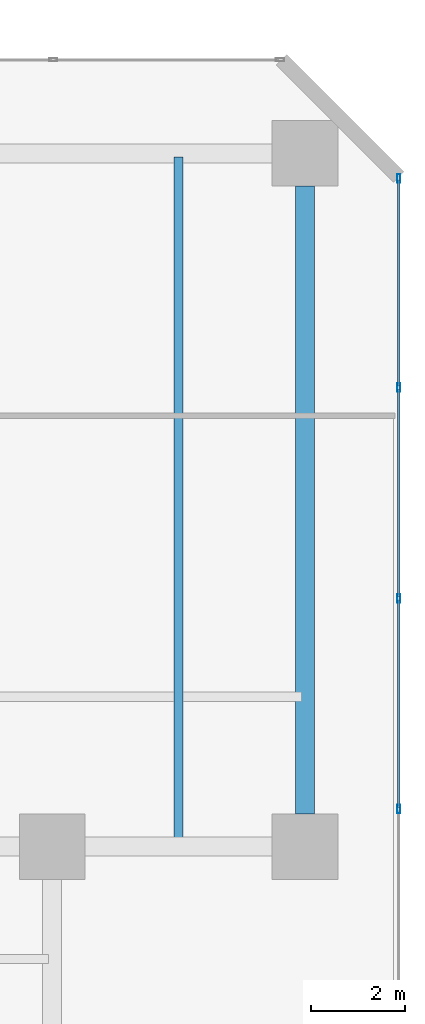
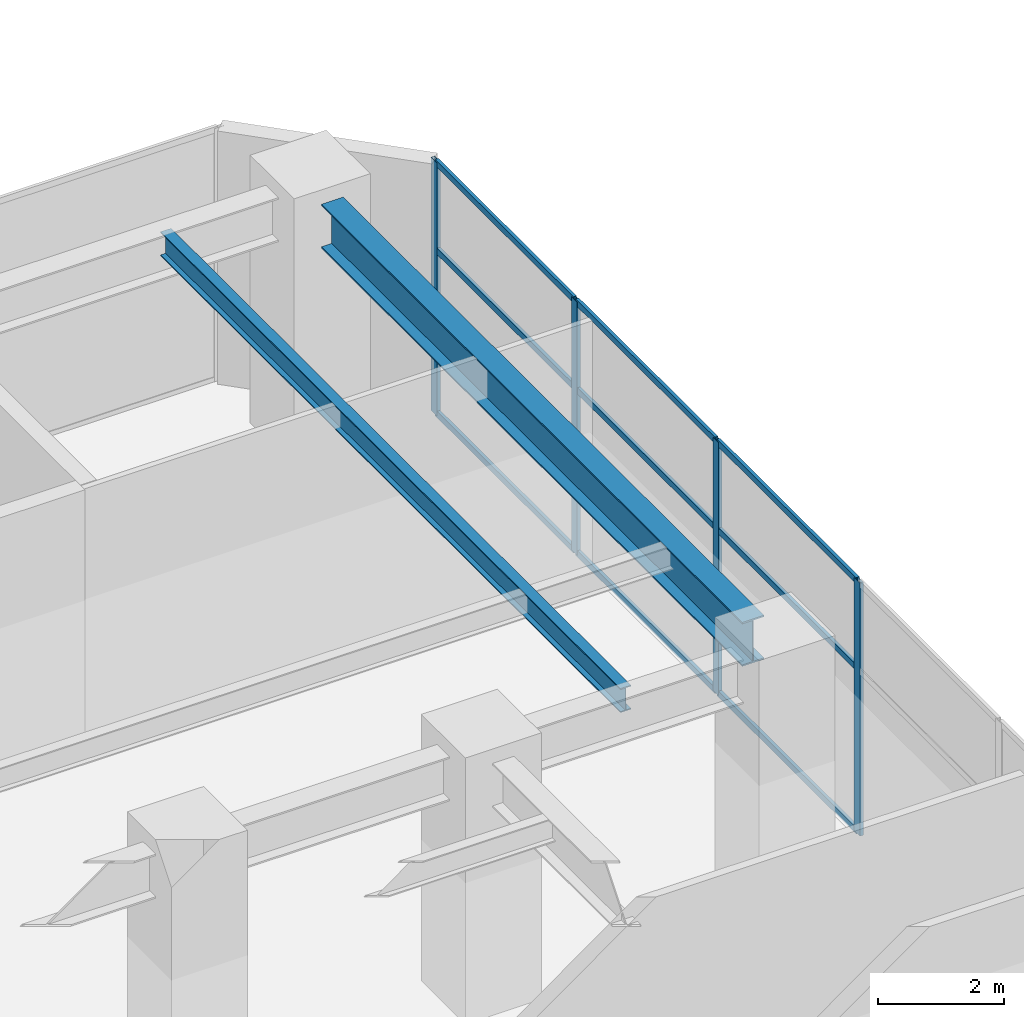
# One storey, part 11 of 29: 13 members, 2 beams, 1 element without a shape of its own.
"""IFC4 building model written with IfcOpenShell, lengths in metres."""

from ifc_helpers import new_model, si_unit, direction, frame, origin, origin_2d, place, context, subcontext, project, spatial, hollow_rectangle, i_section, extrude, material, layer, layer_set, material_profile, profile_set, type_object, element, aggregate, save


model = new_model("IFC4")

# Units and contexts
model_context = context("Model", 3, precision=1e-05, world=origin(), true_north=direction((0.0, 1.0)))
body_context = subcontext(model_context, "Body", "Model", "MODEL_VIEW")
ifc_project = project(units=[si_unit("LENGTHUNIT", "METRE"), si_unit("AREAUNIT", "SQUARE_METRE"), si_unit("VOLUMEUNIT", "CUBIC_METRE"), si_unit("PLANEANGLEUNIT", "RADIAN"), si_unit("MASSUNIT", "GRAM", prefix="KILO")], contexts=[model_context])

# Site, building, storey
site_placement = place(None, origin())
site = spatial("IfcSite", under=ifc_project, at=site_placement, CompositionType="ELEMENT")
building_placement = place(site_placement, origin())
building = spatial("IfcBuilding", under=site, at=building_placement, Name="Mawjaban Terraces University", CompositionType="ELEMENT")
storey_placement = place(building_placement, frame((0.0, 0.0, 15.60009765625)))
storey = spatial("IfcBuildingStorey", under=building, at=storey_placement, Name="L03", CompositionType="ELEMENT", Elevation=15.60009765625)

# Beams
ifc_material_1 = material(Name="Steel ASTM A572 Grade 50", Category="steel")
ifc_material_profile_1 = material_profile(ifc_material_1, i_section(OverallWidth=0.39990234375, OverallDepth=0.85498046875, WebThickness=0.018310546875, FlangeThickness=0.029296875, at=origin_2d()), Name="W840X299")
ifc_profile_set_1 = profile_set([ifc_material_profile_1], Name="Steel ASTM A572 Grade 50")
beam_type_1 = type_object("IfcBeamType", Name="Beam_B_W840X299", PredefinedType="BEAM", material=ifc_profile_set_1)
beam_1_placement = place(storey_placement, frame((74.0, 15.89990234375, 4.492919921875), z_axis=(0.0, 1.0, 0.0), x_axis=(-1.0, 0.0, 0.0)))
element("IfcBeam", 1, at=beam_1_placement, inside=storey, type_object=beam_type_1, Name="L03 Beam BM-L03-NS-22", PredefinedType="BEAM", context=body_context, shape_type="SweptSolid", body=[
    extrude(i_section(OverallWidth=0.39990234375, OverallDepth=0.85498046875, WebThickness=0.018310546875, FlangeThickness=0.029296875, at=origin_2d()), origin(), (0.0, 0.0, 1.0), 13.400146484375),
])
ifc_material_profile_2 = material_profile(ifc_material_1, i_section(OverallWidth=0.194091796875, OverallDepth=0.468994140625, WebThickness=0.011474609375, FlangeThickness=0.0205078125, at=origin_2d()), Name="W460X106")
ifc_profile_set_2 = profile_set([ifc_material_profile_2], Name="Steel ASTM A572 Grade 50")
beam_type_2 = type_object("IfcBeamType", Name="Beam_J_W460X106", PredefinedType="JOIST", material=ifc_profile_set_2)
beam_2_placement = place(storey_placement, frame((71.300048828125, 15.280029296875, 4.684814453125), z_axis=(0.0, 1.0, 0.0), x_axis=(-1.0, 0.0, 0.0)))
element("IfcBeam", 2, at=beam_2_placement, inside=storey, type_object=beam_type_2, Name="L03 Composite Joist JST-L03-NS-34", PredefinedType="JOIST", context=body_context, shape_type="SweptSolid", body=[
    extrude(i_section(OverallWidth=0.194091796875, OverallDepth=0.468994140625, WebThickness=0.011474609375, FlangeThickness=0.0205078125, at=origin_2d()), origin(), (0.0, 0.0, 1.0), 14.639892578125),
])

# Curtain wall, members
ifc_material_2 = material(Name="Anodised aluminium 6063-T6 and solar-control low-E glass", Category="aluminium")
ifc_layer = layer(ifc_material_2, 0.175048828125)
ifc_layer_set = layer_set([ifc_layer], Name="Anodised aluminium 6063-T6 and solar-control low-E glass")
curtain_wall_type = type_object("IfcCurtainWallType", Name="CWSystem_02_PodiumLibrary", PredefinedType="NOTDEFINED", material=ifc_layer_set)
curtain_wall_placement = place(storey_placement, origin())
curtain_wall = element("IfcCurtainWall", 3, at=curtain_wall_placement, inside=storey, type_object=curtain_wall_type, Name="L03 Curtain Wall CW-02 Run 3.1", PredefinedType="NOTDEFINED")
ifc_material_3 = material(Name="Anodised aluminium 6063-T6", Category="aluminium")
ifc_material_profile_3 = material_profile(ifc_material_3, hollow_rectangle(XDim=0.06494140625, YDim=0.179931640625, WallThickness=0.00390625, at=origin_2d()), Name="ALU180X65X4")
ifc_profile_set_3 = profile_set([ifc_material_profile_3], Name="Anodised aluminium 6063-T6")
member_type_1 = type_object("IfcMemberType", Name="Mullion_CW-02", PredefinedType="MULLION", material=ifc_profile_set_3)
member_1_placement = place(storey_placement, frame((76.0, 16.0, 0.0), z_axis=(0.0, 0.0, 1.0), x_axis=(-1.0, 0.0, 0.0)))
member_1 = element("IfcMember", 4, at=member_1_placement, type_object=member_type_1, Name="CW-02 mullion 4", PredefinedType="MULLION", context=body_context, shape_type="SweptSolid", body=[
    extrude(hollow_rectangle(XDim=0.06494140625, YDim=0.179931640625, WallThickness=0.00390625, at=origin_2d()), origin(), (0.0, 0.0, 1.0), 4.919921875),
])
member_2_placement = place(storey_placement, frame((76.0, 20.5, 0.0), z_axis=(0.0, 0.0, 1.0), x_axis=(-1.0, 0.0, 0.0)))
member_2 = element("IfcMember", 5, at=member_2_placement, type_object=member_type_1, Name="CW-02 mullion 5", PredefinedType="MULLION", context=body_context, shape_type="SweptSolid", body=[
    extrude(hollow_rectangle(XDim=0.06494140625, YDim=0.179931640625, WallThickness=0.00390625, at=origin_2d()), origin(), (0.0, 0.0, 1.0), 4.919921875),
])
member_3_placement = place(storey_placement, frame((76.0, 25.0, 0.0), z_axis=(0.0, 0.0, 1.0), x_axis=(-1.0, 0.0, 0.0)))
member_3 = element("IfcMember", 6, at=member_3_placement, type_object=member_type_1, Name="CW-02 mullion 6", PredefinedType="MULLION", context=body_context, shape_type="SweptSolid", body=[
    extrude(hollow_rectangle(XDim=0.06494140625, YDim=0.179931640625, WallThickness=0.00390625, at=origin_2d()), origin(), (0.0, 0.0, 1.0), 4.919921875),
])
member_4_placement = place(storey_placement, frame((76.0, 29.467529296875, 0.0), z_axis=(0.0, 0.0, 1.0), x_axis=(-1.0, 0.0, 0.0)))
member_4 = element("IfcMember", 7, at=member_4_placement, type_object=member_type_1, Name="CW-02 mullion 7", PredefinedType="MULLION", context=body_context, shape_type="SweptSolid", body=[
    extrude(hollow_rectangle(XDim=0.06494140625, YDim=0.179931640625, WallThickness=0.00390625, at=origin_2d()), origin(), (0.0, 0.0, 1.0), 4.919921875),
])
ifc_material_profile_4 = material_profile(ifc_material_3, hollow_rectangle(XDim=0.06005859375, YDim=0.1201171875, WallThickness=0.00341796875, at=origin_2d()), Name="ALU120X60X3.5")
ifc_profile_set_4 = profile_set([ifc_material_profile_4], Name="Anodised aluminium 6063-T6")
member_type_2 = type_object("IfcMemberType", Name="Transom_CW-02", PredefinedType="NOTDEFINED", material=ifc_profile_set_4)
member_5_placement = place(storey_placement, frame((76.0, 16.032470703125, 0.02978515625), z_axis=(0.0, 1.0, 0.0), x_axis=(-1.0, 0.0, 0.0)))
member_5 = element("IfcMember", 8, at=member_5_placement, type_object=member_type_2, Name="CW-02 transom 4.1", ObjectType="TRANSOM", PredefinedType="USERDEFINED", context=body_context, shape_type="SweptSolid", body=[
    extrude(hollow_rectangle(XDim=0.06005859375, YDim=0.1201171875, WallThickness=0.00341796875, at=origin_2d()), origin(), (0.0, 0.0, 1.0), 4.43505859375),
])
member_6_placement = place(storey_placement, frame((76.0, 16.032470703125, 3.197998046875), z_axis=(0.0, 1.0, 0.0), x_axis=(-1.0, 0.0, 0.0)))
member_6 = element("IfcMember", 9, at=member_6_placement, type_object=member_type_2, Name="CW-02 transom 4.2", ObjectType="TRANSOM", PredefinedType="USERDEFINED", context=body_context, shape_type="SweptSolid", body=[
    extrude(hollow_rectangle(XDim=0.06005859375, YDim=0.1201171875, WallThickness=0.00341796875, at=origin_2d()), origin(), (0.0, 0.0, 1.0), 4.43505859375),
])
member_7_placement = place(storey_placement, frame((76.0, 16.032470703125, 4.889892578125), z_axis=(0.0, 1.0, 0.0), x_axis=(-1.0, 0.0, 0.0)))
member_7 = element("IfcMember", 10, at=member_7_placement, type_object=member_type_2, Name="CW-02 transom 4.3", ObjectType="TRANSOM", PredefinedType="USERDEFINED", context=body_context, shape_type="SweptSolid", body=[
    extrude(hollow_rectangle(XDim=0.06005859375, YDim=0.1201171875, WallThickness=0.00341796875, at=origin_2d()), origin(), (0.0, 0.0, 1.0), 4.43505859375),
])
member_8_placement = place(storey_placement, frame((76.0, 20.532470703125, 0.02978515625), z_axis=(0.0, 1.0, 0.0), x_axis=(-1.0, 0.0, 0.0)))
member_8 = element("IfcMember", 11, at=member_8_placement, type_object=member_type_2, Name="CW-02 transom 5.1", ObjectType="TRANSOM", PredefinedType="USERDEFINED", context=body_context, shape_type="SweptSolid", body=[
    extrude(hollow_rectangle(XDim=0.06005859375, YDim=0.1201171875, WallThickness=0.00341796875, at=origin_2d()), origin(), (0.0, 0.0, 1.0), 4.43505859375),
])
member_9_placement = place(storey_placement, frame((76.0, 20.532470703125, 3.197998046875), z_axis=(0.0, 1.0, 0.0), x_axis=(-1.0, 0.0, 0.0)))
member_9 = element("IfcMember", 12, at=member_9_placement, type_object=member_type_2, Name="CW-02 transom 5.2", ObjectType="TRANSOM", PredefinedType="USERDEFINED", context=body_context, shape_type="SweptSolid", body=[
    extrude(hollow_rectangle(XDim=0.06005859375, YDim=0.1201171875, WallThickness=0.00341796875, at=origin_2d()), origin(), (0.0, 0.0, 1.0), 4.43505859375),
])
member_10_placement = place(storey_placement, frame((76.0, 20.532470703125, 4.889892578125), z_axis=(0.0, 1.0, 0.0), x_axis=(-1.0, 0.0, 0.0)))
member_10 = element("IfcMember", 13, at=member_10_placement, type_object=member_type_2, Name="CW-02 transom 5.3", ObjectType="TRANSOM", PredefinedType="USERDEFINED", context=body_context, shape_type="SweptSolid", body=[
    extrude(hollow_rectangle(XDim=0.06005859375, YDim=0.1201171875, WallThickness=0.00341796875, at=origin_2d()), origin(), (0.0, 0.0, 1.0), 4.43505859375),
])
member_11_placement = place(storey_placement, frame((76.0, 25.032470703125, 0.02978515625), z_axis=(0.0, 1.0, 0.0), x_axis=(-1.0, 0.0, 0.0)))
member_11 = element("IfcMember", 14, at=member_11_placement, type_object=member_type_2, Name="CW-02 transom 6.1", ObjectType="TRANSOM", PredefinedType="USERDEFINED", context=body_context, shape_type="SweptSolid", body=[
    extrude(hollow_rectangle(XDim=0.06005859375, YDim=0.1201171875, WallThickness=0.00341796875, at=origin_2d()), origin(), (0.0, 0.0, 1.0), 4.402587890625),
])
member_12_placement = place(storey_placement, frame((76.0, 25.032470703125, 3.197998046875), z_axis=(0.0, 1.0, 0.0), x_axis=(-1.0, 0.0, 0.0)))
member_12 = element("IfcMember", 15, at=member_12_placement, type_object=member_type_2, Name="CW-02 transom 6.2", ObjectType="TRANSOM", PredefinedType="USERDEFINED", context=body_context, shape_type="SweptSolid", body=[
    extrude(hollow_rectangle(XDim=0.06005859375, YDim=0.1201171875, WallThickness=0.00341796875, at=origin_2d()), origin(), (0.0, 0.0, 1.0), 4.402587890625),
])
member_13_placement = place(storey_placement, frame((76.0, 25.032470703125, 4.889892578125), z_axis=(0.0, 1.0, 0.0), x_axis=(-1.0, 0.0, 0.0)))
member_13 = element("IfcMember", 16, at=member_13_placement, type_object=member_type_2, Name="CW-02 transom 6.3", ObjectType="TRANSOM", PredefinedType="USERDEFINED", context=body_context, shape_type="SweptSolid", body=[
    extrude(hollow_rectangle(XDim=0.06005859375, YDim=0.1201171875, WallThickness=0.00341796875, at=origin_2d()), origin(), (0.0, 0.0, 1.0), 4.402587890625),
])
aggregate(curtain_wall, [member_1, member_2, member_3, member_4, member_5, member_6, member_7, member_8, member_9, member_10, member_11, member_12, member_13])

save(model, "model.ifc")
